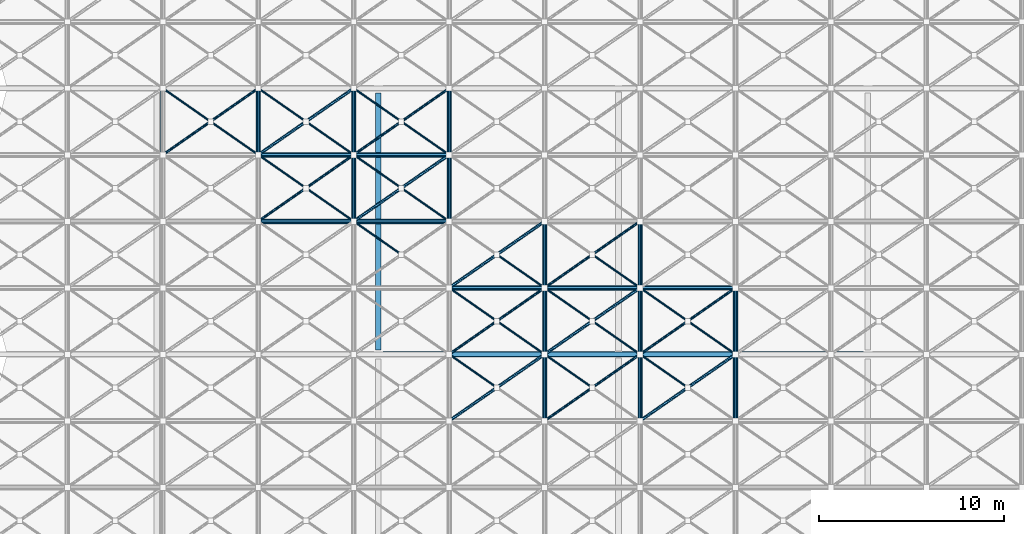
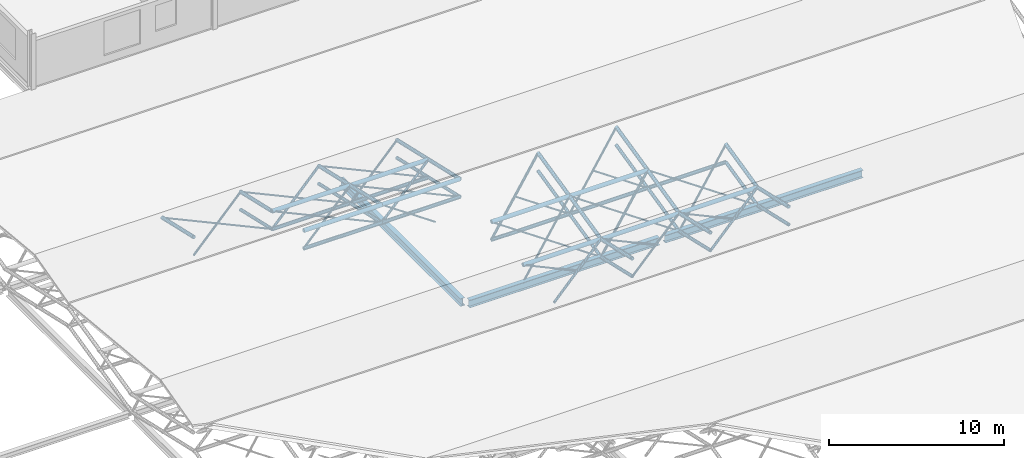
# One storey, part 41 of 110: 78 members, 3 beams.
"""IFC4 building model written with IfcOpenShell, lengths in metres."""

from ifc_helpers import new_model, si_unit, direction, frame, origin, origin_2d, place, context, subcontext, project, spatial, hollow_circle, i_section, extrude, material, material_profile, profile_set, type_object, element, save


model = new_model("IFC4")

# Units and contexts
model_context = context("Model", 3, precision=1e-05, world=origin(), true_north=direction((0.0, 1.0)))
body_context = subcontext(model_context, "Body", "Model", "MODEL_VIEW")
ifc_project = project(units=[si_unit("LENGTHUNIT", "METRE"), si_unit("AREAUNIT", "SQUARE_METRE"), si_unit("VOLUMEUNIT", "CUBIC_METRE"), si_unit("PLANEANGLEUNIT", "RADIAN"), si_unit("MASSUNIT", "GRAM", prefix="KILO")], contexts=[model_context])

# Site, building, storey
site_placement = place(None, origin())
site = spatial("IfcSite", under=ifc_project, at=site_placement, CompositionType="ELEMENT")
building_placement = place(site_placement, origin())
building = spatial("IfcBuilding", under=site, at=building_placement, Name="Tamarisk Ironworks Central Station", CompositionType="ELEMENT")
storey_placement = place(building_placement, frame((0.0, 0.0, 17.39990234375)))
storey = spatial("IfcBuildingStorey", under=building, at=storey_placement, Name="L03", CompositionType="ELEMENT", Elevation=17.39990234375)

# Beams
ifc_material_1 = material(Name="Structural steel S355J2", Category="steel")
ifc_material_profile_1 = material_profile(ifc_material_1, i_section(OverallWidth=0.300048828125, OverallDepth=0.5400390625, WebThickness=0.012451171875, FlangeThickness=0.02392578125, at=origin_2d()), Name="HEA 550")
ifc_profile_set_1 = profile_set([ifc_material_profile_1], Name="Structural steel S355J2")
beam_type = type_object("IfcBeamType", Name="BM-G04", PredefinedType="BEAM", material=ifc_profile_set_1)
beam_1_placement = place(storey_placement, frame((140.241943359375, 50.39990234375, -1.869873046875), z_axis=(1.0, 0.0, 0.0), x_axis=(0.0, 1.0, 0.0)))
element("IfcBeam", 1, at=beam_1_placement, inside=storey, type_object=beam_type, Name="L03 primary girder X-0564", PredefinedType="BEAM", context=body_context, shape_type="SweptSolid", body=[
    extrude(i_section(OverallWidth=0.300048828125, OverallDepth=0.5400390625, WebThickness=0.012451171875, FlangeThickness=0.02392578125, at=origin_2d()), origin(), (0.0, 0.0, 1.0), 12.56689453125),
])
beam_2_placement = place(storey_placement, frame((153.191162109375, 50.39990234375, -1.869873046875), z_axis=(1.0, 0.0, 0.0), x_axis=(0.0, 1.0, 0.0)))
element("IfcBeam", 2, at=beam_2_placement, inside=storey, type_object=beam_type, Name="L03 primary girder X-0565", PredefinedType="BEAM", context=body_context, shape_type="SweptSolid", body=[
    extrude(i_section(OverallWidth=0.300048828125, OverallDepth=0.5400390625, WebThickness=0.012451171875, FlangeThickness=0.02392578125, at=origin_2d()), origin(), (0.0, 0.0, 1.0), 13.06689453125),
])
beam_3_placement = place(storey_placement, frame((140.0, 50.64208984375, -1.869873046875), z_axis=(0.0, 1.0, 0.0), x_axis=(-1.0, 0.0, 0.0)))
element("IfcBeam", 3, at=beam_3_placement, inside=storey, type_object=beam_type, Name="L03 primary girder Y-0615", PredefinedType="BEAM", context=body_context, shape_type="SweptSolid", body=[
    extrude(i_section(OverallWidth=0.300048828125, OverallDepth=0.5400390625, WebThickness=0.012451171875, FlangeThickness=0.02392578125, at=origin_2d()), origin(), (0.0, 0.0, 1.0), 13.916015625),
])

# Members
ifc_material_2 = material(Name="Structural steel S355J2H", Category="steel")
ifc_material_profile_2 = material_profile(ifc_material_2, hollow_circle(Radius=0.136474609375, WallThickness=0.012451171875, at=origin_2d()), Name="CHS 273x12.5")
ifc_profile_set_2 = profile_set([ifc_material_profile_2], Name="Structural steel S355J2H")
member_type_1 = type_object("IfcMemberType", Name="MB-SFC01", PredefinedType="CHORD", material=ifc_profile_set_2)
for number, where, z_axis, x_axis, name in (
    (4, (143.833251953125, 50.39990234375, -0.469970703125), (1.0, 0.0, 0.0), (0.0, 1.0, 0.0), "Train shed space-frame top chord 1388"),
    (5, (149.0, 50.39990234375, -0.469970703125), (1.0, 0.0, 0.0), (0.0, 1.0, 0.0), "Train shed space-frame top chord 1389"),
):
    element("IfcMember", number, at=place(storey_placement, frame(where, z_axis=z_axis, x_axis=x_axis)), inside=storey, type_object=member_type_1, Name=name, PredefinedType="CHORD", context=body_context, shape_type="SweptSolid", body=[
        extrude(hollow_circle(Radius=0.136474609375, WallThickness=0.012451171875, at=origin_2d()), origin(), (0.0, 0.0, 1.0), 5.166748046875),
    ])
member_1_placement = place(storey_placement, frame((154.166748046875, 50.39990234375, -0.469970703125), z_axis=(1.0, 0.0, 0.0), x_axis=(0.0, 1.0, 0.0)))
element("IfcMember", 6, at=member_1_placement, inside=storey, type_object=member_type_1, Name="Train shed space-frame top chord 1390", PredefinedType="CHORD", context=body_context, shape_type="SweptSolid", body=[
    extrude(hollow_circle(Radius=0.136474609375, WallThickness=0.012451171875, at=origin_2d()), origin(), (0.0, 0.0, 1.0), 5.16650390625),
])
for number, where, z_axis, x_axis, name in (
    (7, (143.833251953125, 54.0, 0.35498046875), (1.0, 0.0, 0.0), (0.0, 1.0, 0.0), "Train shed space-frame top chord 1636"),
    (8, (149.0, 54.0, 0.35498046875), (1.0, 0.0, 0.0), (0.0, 1.0, 0.0), "Train shed space-frame top chord 1637"),
    (9, (133.5, 57.60009765625, 1.18017578125), (1.0, 0.0, 0.0), (0.0, 1.0, 0.0), "Train shed space-frame top chord 1646"),
):
    element("IfcMember", number, at=place(storey_placement, frame(where, z_axis=z_axis, x_axis=x_axis)), inside=storey, type_object=member_type_1, Name=name, PredefinedType="CHORD", context=body_context, shape_type="SweptSolid", body=[
        extrude(hollow_circle(Radius=0.136474609375, WallThickness=0.012451171875, at=origin_2d()), origin(), (0.0, 0.0, 1.0), 5.166748046875),
    ])
member_2_placement = place(storey_placement, frame((138.666748046875, 57.60009765625, 1.18017578125), z_axis=(1.0, 0.0, 0.0), x_axis=(0.0, 1.0, 0.0)))
element("IfcMember", 10, at=member_2_placement, inside=storey, type_object=member_type_1, Name="Train shed space-frame top chord 1647", PredefinedType="CHORD", context=body_context, shape_type="SweptSolid", body=[
    extrude(hollow_circle(Radius=0.136474609375, WallThickness=0.012451171875, at=origin_2d()), origin(), (0.0, 0.0, 1.0), 5.16650390625),
])
member_3_placement = place(storey_placement, frame((133.5, 61.199951171875, 0.35498046875), z_axis=(1.0, 0.0, 0.0), x_axis=(0.0, 1.0, 0.0)))
element("IfcMember", 11, at=member_3_placement, inside=storey, type_object=member_type_1, Name="Train shed space-frame top chord 1658", PredefinedType="CHORD", context=body_context, shape_type="SweptSolid", body=[
    extrude(hollow_circle(Radius=0.136474609375, WallThickness=0.012451171875, at=origin_2d()), origin(), (0.0, 0.0, 1.0), 5.166748046875),
])
member_4_placement = place(storey_placement, frame((138.666748046875, 61.199951171875, 0.35498046875), z_axis=(1.0, 0.0, 0.0), x_axis=(0.0, 1.0, 0.0)))
element("IfcMember", 12, at=member_4_placement, inside=storey, type_object=member_type_1, Name="Train shed space-frame top chord 1659", PredefinedType="CHORD", context=body_context, shape_type="SweptSolid", body=[
    extrude(hollow_circle(Radius=0.136474609375, WallThickness=0.012451171875, at=origin_2d()), origin(), (0.0, 0.0, 1.0), 5.16650390625),
])
ifc_material_profile_3 = material_profile(ifc_material_2, hollow_circle(Radius=0.122314453125, WallThickness=0.012451171875, at=origin_2d()), Name="CHS 244.5x12.5")
ifc_profile_set_3 = profile_set([ifc_material_profile_3], Name="Structural steel S355J2H")
member_type_2 = type_object("IfcMemberType", Name="MB-SFC02", PredefinedType="CHORD", material=ifc_profile_set_3)
for number, where, z_axis, x_axis, name in (
    (13, (149.0, 46.800048828125, 0.35498046875), (0.0, 0.974733218107, -0.223372230857), (-1.0, 0.0, 0.0), "Train shed space-frame top transverse chord 1422"),
    (14, (154.166748046875, 46.800048828125, 0.35498046875), (0.0, 0.974733218107, -0.223372230857), (-1.0, 0.0, 0.0), "Train shed space-frame top transverse chord 1426"),
    (15, (159.333251953125, 46.800048828125, 0.35498046875), (0.0, 0.974733218107, -0.223372230857), (-1.0, 0.0, 0.0), "Train shed space-frame top transverse chord 1430"),
):
    element("IfcMember", number, at=place(storey_placement, frame(where, z_axis=z_axis, x_axis=x_axis)), inside=storey, type_object=member_type_2, Name=name, PredefinedType="CHORD", context=body_context, shape_type="SweptSolid", body=[
        extrude(hollow_circle(Radius=0.122314453125, WallThickness=0.012451171875, at=origin_2d()), origin(), (0.0, 0.0, 1.0), 3.693115234375),
    ])
for number, where, z_axis, x_axis, name in (
    (16, (143.833251953125, 54.0, -0.89501953125), (1.0, 0.0, 0.0), (0.0, 1.0, 0.0), "Train shed space-frame bottom chord 1548"),
    (17, (149.0, 54.0, -0.89501953125), (1.0, 0.0, 0.0), (0.0, 1.0, 0.0), "Train shed space-frame bottom chord 1549"),
):
    element("IfcMember", number, at=place(storey_placement, frame(where, z_axis=z_axis, x_axis=x_axis)), inside=storey, type_object=member_type_2, Name=name, PredefinedType="CHORD", context=body_context, shape_type="SweptSolid", body=[
        extrude(hollow_circle(Radius=0.122314453125, WallThickness=0.012451171875, at=origin_2d()), origin(), (0.0, 0.0, 1.0), 5.166748046875),
    ])
member_5_placement = place(storey_placement, frame((154.166748046875, 54.0, -0.89501953125), z_axis=(1.0, 0.0, 0.0), x_axis=(0.0, 1.0, 0.0)))
element("IfcMember", 18, at=member_5_placement, inside=storey, type_object=member_type_2, Name="Train shed space-frame bottom chord 1550", PredefinedType="CHORD", context=body_context, shape_type="SweptSolid", body=[
    extrude(hollow_circle(Radius=0.122314453125, WallThickness=0.012451171875, at=origin_2d()), origin(), (0.0, 0.0, 1.0), 5.16650390625),
])
member_6_placement = place(storey_placement, frame((133.5, 57.60009765625, -0.06982421875), z_axis=(1.0, 0.0, 0.0), x_axis=(0.0, 1.0, 0.0)))
element("IfcMember", 19, at=member_6_placement, inside=storey, type_object=member_type_2, Name="Train shed space-frame bottom chord 1558", PredefinedType="CHORD", context=body_context, shape_type="SweptSolid", body=[
    extrude(hollow_circle(Radius=0.122314453125, WallThickness=0.012451171875, at=origin_2d()), origin(), (0.0, 0.0, 1.0), 5.166748046875),
])
member_7_placement = place(storey_placement, frame((138.666748046875, 57.60009765625, -0.06982421875), z_axis=(1.0, 0.0, 0.0), x_axis=(0.0, 1.0, 0.0)))
element("IfcMember", 20, at=member_7_placement, inside=storey, type_object=member_type_2, Name="Train shed space-frame bottom chord 1559", PredefinedType="CHORD", context=body_context, shape_type="SweptSolid", body=[
    extrude(hollow_circle(Radius=0.122314453125, WallThickness=0.012451171875, at=origin_2d()), origin(), (0.0, 0.0, 1.0), 5.16650390625),
])
member_8_placement = place(storey_placement, frame((133.5, 61.199951171875, -0.89501953125), z_axis=(1.0, 0.0, 0.0), x_axis=(0.0, 1.0, 0.0)))
element("IfcMember", 21, at=member_8_placement, inside=storey, type_object=member_type_2, Name="Train shed space-frame bottom chord 1570", PredefinedType="CHORD", context=body_context, shape_type="SweptSolid", body=[
    extrude(hollow_circle(Radius=0.122314453125, WallThickness=0.012451171875, at=origin_2d()), origin(), (0.0, 0.0, 1.0), 5.166748046875),
])
member_9_placement = place(storey_placement, frame((138.666748046875, 61.199951171875, -0.89501953125), z_axis=(1.0, 0.0, 0.0), x_axis=(0.0, 1.0, 0.0)))
element("IfcMember", 22, at=member_9_placement, inside=storey, type_object=member_type_2, Name="Train shed space-frame bottom chord 1571", PredefinedType="CHORD", context=body_context, shape_type="SweptSolid", body=[
    extrude(hollow_circle(Radius=0.122314453125, WallThickness=0.012451171875, at=origin_2d()), origin(), (0.0, 0.0, 1.0), 5.16650390625),
])
for number, where, z_axis, x_axis, name in (
    (23, (128.333251953125, 61.199951171875, 0.35498046875), (0.0, 0.974736516158, -0.223357838607), (-1.0, 0.0, 0.0), "Train shed space-frame top transverse chord 1690"),
    (24, (133.5, 61.199951171875, 0.35498046875), (0.0, 0.974736516158, -0.223357838607), (-1.0, 0.0, 0.0), "Train shed space-frame top transverse chord 1694"),
):
    element("IfcMember", number, at=place(storey_placement, frame(where, z_axis=z_axis, x_axis=x_axis)), inside=storey, type_object=member_type_2, Name=name, PredefinedType="CHORD", context=body_context, shape_type="SweptSolid", body=[
        extrude(hollow_circle(Radius=0.122314453125, WallThickness=0.012451171875, at=origin_2d()), origin(), (0.0, 0.0, 1.0), 3.693359375),
    ])
member_10_placement = place(storey_placement, frame((138.666748046875, 57.60009765625, 1.18017578125), z_axis=(0.0, 0.974718823144, -0.223435037113), x_axis=(-1.0, 0.0, 0.0)))
element("IfcMember", 25, at=member_10_placement, inside=storey, type_object=member_type_2, Name="Train shed space-frame top transverse chord 1697", PredefinedType="CHORD", context=body_context, shape_type="SweptSolid", body=[
    extrude(hollow_circle(Radius=0.122314453125, WallThickness=0.012451171875, at=origin_2d()), origin(), (0.0, 0.0, 1.0), 3.693115234375),
])
member_11_placement = place(storey_placement, frame((138.666748046875, 61.199951171875, 0.35498046875), z_axis=(0.0, 0.974736516158, -0.223357838607), x_axis=(-1.0, 0.0, 0.0)))
element("IfcMember", 26, at=member_11_placement, inside=storey, type_object=member_type_2, Name="Train shed space-frame top transverse chord 1698", PredefinedType="CHORD", context=body_context, shape_type="SweptSolid", body=[
    extrude(hollow_circle(Radius=0.122314453125, WallThickness=0.012451171875, at=origin_2d()), origin(), (0.0, 0.0, 1.0), 3.693359375),
])
member_12_placement = place(storey_placement, frame((143.833251953125, 57.60009765625, 1.18017578125), z_axis=(0.0, 0.974718823144, -0.223435037113), x_axis=(-1.0, 0.0, 0.0)))
element("IfcMember", 27, at=member_12_placement, inside=storey, type_object=member_type_2, Name="Train shed space-frame top transverse chord 1701", PredefinedType="CHORD", context=body_context, shape_type="SweptSolid", body=[
    extrude(hollow_circle(Radius=0.122314453125, WallThickness=0.012451171875, at=origin_2d()), origin(), (0.0, 0.0, 1.0), 3.693115234375),
])
for number, where, z_axis, x_axis, name in (
    (28, (143.833251953125, 61.199951171875, 0.35498046875), (0.0, 0.974736516158, -0.223357838607), (-1.0, 0.0, 0.0), "Train shed space-frame top transverse chord 1702"),
    (29, (149.0, 50.39990234375, -0.469970703125), (0.0, 0.974736516158, 0.223357838607), (-1.0, 0.0, 0.0), "Train shed space-frame top transverse chord 1703"),
    (30, (149.0, 54.0, 0.35498046875), (0.0, 0.974722123001, 0.223420641241), (-1.0, 0.0, 0.0), "Train shed space-frame top transverse chord 1704"),
    (31, (154.166748046875, 50.39990234375, -0.469970703125), (0.0, 0.974736516158, 0.223357838607), (-1.0, 0.0, 0.0), "Train shed space-frame top transverse chord 1707"),
    (32, (154.166748046875, 54.0, 0.35498046875), (0.0, 0.974722123001, 0.223420641241), (-1.0, 0.0, 0.0), "Train shed space-frame top transverse chord 1708"),
    (33, (159.333251953125, 50.39990234375, -0.469970703125), (0.0, 0.974736516158, 0.223357838607), (-1.0, 0.0, 0.0), "Train shed space-frame top transverse chord 1711"),
):
    element("IfcMember", number, at=place(storey_placement, frame(where, z_axis=z_axis, x_axis=x_axis)), inside=storey, type_object=member_type_2, Name=name, PredefinedType="CHORD", context=body_context, shape_type="SweptSolid", body=[
        extrude(hollow_circle(Radius=0.122314453125, WallThickness=0.012451171875, at=origin_2d()), origin(), (0.0, 0.0, 1.0), 3.693359375),
    ])
ifc_material_profile_4 = material_profile(ifc_material_2, hollow_circle(Radius=0.109619140625, WallThickness=0.010009765625, at=origin_2d()), Name="CHS 219.1x10")
ifc_profile_set_4 = profile_set([ifc_material_profile_4], Name="Structural steel S355J2H")
member_type_3 = type_object("IfcMemberType", Name="MB-SFC03", PredefinedType="CHORD", material=ifc_profile_set_4)
for number, where, z_axis, x_axis, name in (
    (34, (149.0, 46.800048828125, -0.89501953125), (0.0, 0.974733218107, -0.223372230857), (-1.0, 0.0, 0.0), "Train shed space-frame transverse chord 1322"),
    (35, (154.166748046875, 46.800048828125, -0.89501953125), (0.0, 0.974733218107, -0.223372230857), (-1.0, 0.0, 0.0), "Train shed space-frame transverse chord 1326"),
    (36, (159.333251953125, 46.800048828125, -0.89501953125), (0.0, 0.974733218107, -0.223372230857), (-1.0, 0.0, 0.0), "Train shed space-frame transverse chord 1330"),
):
    element("IfcMember", number, at=place(storey_placement, frame(where, z_axis=z_axis, x_axis=x_axis)), inside=storey, type_object=member_type_3, Name=name, PredefinedType="CHORD", context=body_context, shape_type="SweptSolid", body=[
        extrude(hollow_circle(Radius=0.109619140625, WallThickness=0.010009765625, at=origin_2d()), origin(), (0.0, 0.0, 1.0), 3.693115234375),
    ])
member_13_placement = place(storey_placement, frame((133.5, 61.199951171875, -0.89501953125), z_axis=(0.0, 0.974736516158, -0.223357838607), x_axis=(-1.0, 0.0, 0.0)))
element("IfcMember", 37, at=member_13_placement, inside=storey, type_object=member_type_3, Name="Train shed space-frame transverse chord 1594", PredefinedType="CHORD", context=body_context, shape_type="SweptSolid", body=[
    extrude(hollow_circle(Radius=0.109619140625, WallThickness=0.010009765625, at=origin_2d()), origin(), (0.0, 0.0, 1.0), 3.693359375),
])
member_14_placement = place(storey_placement, frame((138.666748046875, 57.60009765625, -0.06982421875), z_axis=(0.0, 0.974718823144, -0.223435037113), x_axis=(-1.0, 0.0, 0.0)))
element("IfcMember", 38, at=member_14_placement, inside=storey, type_object=member_type_3, Name="Train shed space-frame transverse chord 1597", PredefinedType="CHORD", context=body_context, shape_type="SweptSolid", body=[
    extrude(hollow_circle(Radius=0.109619140625, WallThickness=0.010009765625, at=origin_2d()), origin(), (0.0, 0.0, 1.0), 3.693115234375),
])
member_15_placement = place(storey_placement, frame((138.666748046875, 61.199951171875, -0.89501953125), z_axis=(0.0, 0.974736516158, -0.223357838607), x_axis=(-1.0, 0.0, 0.0)))
element("IfcMember", 39, at=member_15_placement, inside=storey, type_object=member_type_3, Name="Train shed space-frame transverse chord 1598", PredefinedType="CHORD", context=body_context, shape_type="SweptSolid", body=[
    extrude(hollow_circle(Radius=0.109619140625, WallThickness=0.010009765625, at=origin_2d()), origin(), (0.0, 0.0, 1.0), 3.693359375),
])
member_16_placement = place(storey_placement, frame((143.833251953125, 57.60009765625, -0.06982421875), z_axis=(0.0, 0.974718823144, -0.223435037113), x_axis=(-1.0, 0.0, 0.0)))
element("IfcMember", 40, at=member_16_placement, inside=storey, type_object=member_type_3, Name="Train shed space-frame transverse chord 1601", PredefinedType="CHORD", context=body_context, shape_type="SweptSolid", body=[
    extrude(hollow_circle(Radius=0.109619140625, WallThickness=0.010009765625, at=origin_2d()), origin(), (0.0, 0.0, 1.0), 3.693115234375),
])
for number, where, z_axis, x_axis, name in (
    (41, (143.833251953125, 61.199951171875, -0.89501953125), (0.0, 0.974736516158, -0.223357838607), (-1.0, 0.0, 0.0), "Train shed space-frame transverse chord 1602"),
    (42, (149.0, 50.39990234375, -1.719970703125), (0.0, 0.974736516158, 0.223357838607), (-1.0, 0.0, 0.0), "Train shed space-frame transverse chord 1603"),
    (43, (149.0, 54.0, -0.89501953125), (0.0, 0.974722123001, 0.223420641241), (-1.0, 0.0, 0.0), "Train shed space-frame transverse chord 1604"),
    (44, (154.166748046875, 50.39990234375, -1.719970703125), (0.0, 0.974736516158, 0.223357838607), (-1.0, 0.0, 0.0), "Train shed space-frame transverse chord 1607"),
    (45, (154.166748046875, 54.0, -0.89501953125), (0.0, 0.974722123001, 0.223420641241), (-1.0, 0.0, 0.0), "Train shed space-frame transverse chord 1608"),
    (46, (159.333251953125, 50.39990234375, -1.719970703125), (0.0, 0.974736516158, 0.223357838607), (-1.0, 0.0, 0.0), "Train shed space-frame transverse chord 1611"),
):
    element("IfcMember", number, at=place(storey_placement, frame(where, z_axis=z_axis, x_axis=x_axis)), inside=storey, type_object=member_type_3, Name=name, PredefinedType="CHORD", context=body_context, shape_type="SweptSolid", body=[
        extrude(hollow_circle(Radius=0.109619140625, WallThickness=0.010009765625, at=origin_2d()), origin(), (0.0, 0.0, 1.0), 3.693359375),
    ])
ifc_material_profile_5 = material_profile(ifc_material_2, hollow_circle(Radius=0.084228515625, WallThickness=0.010009765625, at=origin_2d()), Name="CHS 168.3x10")
ifc_profile_set_5 = profile_set([ifc_material_profile_5], Name="Structural steel S355J2H")
member_type_4 = type_object("IfcMemberType", Name="MB-SFD01", PredefinedType="BRACE", material=ifc_profile_set_5)
member_17_placement = place(storey_placement, frame((143.833251953125, 46.800048828125, -0.89501953125), z_axis=(0.818625810636, 0.570365145671, 0.067345250499), x_axis=(-0.57166297408, 0.820488539875, 0.0)))
element("IfcMember", 47, at=member_17_placement, inside=storey, type_object=member_type_4, Name="Train shed space-frame diagonal 1493", PredefinedType="BRACE", context=body_context, shape_type="SweptSolid", body=[
    extrude(hollow_circle(Radius=0.084228515625, WallThickness=0.010009765625, at=origin_2d()), origin(), (0.0, 0.0, 1.0), 6.3115234375),
])
member_18_placement = place(storey_placement, frame((154.166748046875, 46.800048828125, -0.89501953125), z_axis=(0.818613050724, 0.570383207302, 0.067347383107), x_axis=(-0.571681159291, 0.820475869305, 0.0)))
element("IfcMember", 48, at=member_18_placement, inside=storey, type_object=member_type_4, Name="Train shed space-frame diagonal 1509", PredefinedType="BRACE", context=body_context, shape_type="SweptSolid", body=[
    extrude(hollow_circle(Radius=0.084228515625, WallThickness=0.010009765625, at=origin_2d()), origin(), (0.0, 0.0, 1.0), 6.311279296875),
])
member_19_placement = place(storey_placement, frame((133.5, 61.199951171875, -0.89501953125), z_axis=(0.818607749421, 0.570391242875, 0.067343764671), x_axis=(-0.571689073201, 0.82047035509, 0.0)))
element("IfcMember", 49, at=member_19_placement, inside=storey, type_object=member_type_4, Name="Train shed space-frame diagonal 1761", PredefinedType="BRACE", context=body_context, shape_type="SweptSolid", body=[
    extrude(hollow_circle(Radius=0.084228515625, WallThickness=0.010009765625, at=origin_2d()), origin(), (0.0, 0.0, 1.0), 6.3115234375),
])
member_20_placement = place(storey_placement, frame((138.666748046875, 57.60009765625, -0.06982421875), z_axis=(0.818615182779, 0.570384692849, 0.06730887525), x_axis=(-0.571681159291, 0.820475869305, 0.0)))
element("IfcMember", 50, at=member_20_placement, inside=storey, type_object=member_type_4, Name="Train shed space-frame diagonal 1767", PredefinedType="BRACE", context=body_context, shape_type="SweptSolid", body=[
    extrude(hollow_circle(Radius=0.084228515625, WallThickness=0.010009765625, at=origin_2d()), origin(), (0.0, 0.0, 1.0), 6.311279296875),
])
for number, where, z_axis, x_axis, name in (
    (51, (143.833251953125, 54.0, -0.89501953125), (0.779249385031, 0.542967038306, 0.312981135603), (-0.571689073201, 0.82047035509, 0.0), "Train shed space-frame diagonal 1773"),
    (52, (149.0, 50.39990234375, -1.719970703125), (0.77925836502, 0.542973295402, 0.312947920631), (-0.571689073201, 0.82047035509, 0.0), "Train shed space-frame diagonal 1779"),
):
    element("IfcMember", number, at=place(storey_placement, frame(where, z_axis=z_axis, x_axis=x_axis)), inside=storey, type_object=member_type_4, Name=name, PredefinedType="BRACE", context=body_context, shape_type="SweptSolid", body=[
        extrude(hollow_circle(Radius=0.084228515625, WallThickness=0.010009765625, at=origin_2d()), origin(), (0.0, 0.0, 1.0), 6.63037109375),
    ])
ifc_material_profile_6 = material_profile(ifc_material_2, hollow_circle(Radius=0.06982421875, WallThickness=0.008056640625, at=origin_2d()), Name="CHS 139.7x8")
ifc_profile_set_6 = profile_set([ifc_material_profile_6], Name="Structural steel S355J2H")
member_type_5 = type_object("IfcMemberType", Name="MB-SFD02", PredefinedType="BRACE", material=ifc_profile_set_6)
for number, where, z_axis, x_axis, name in (
    (53, (149.0, 46.800048828125, -0.89501953125), (0.818625810636, 0.570365145671, 0.067345250499), (-0.57166297408, 0.820488539875, 0.0), "Train shed space-frame diagonal 1501"),
    (54, (128.333251953125, 61.199951171875, -0.89501953125), (0.818607749421, 0.570391242875, 0.067343764671), (-0.571689073201, 0.82047035509, 0.0), "Train shed space-frame diagonal 1753"),
    (55, (133.5, 57.60009765625, -0.06982421875), (0.818627942589, 0.570366631076, 0.06730674385), (-0.57166297408, 0.820488539875, 0.0), "Train shed space-frame diagonal 1759"),
    (56, (138.666748046875, 61.199951171875, -0.89501953125), (0.818594988647, 0.570409304536, 0.067345897138), (-0.571707258436, 0.820457683645, 0.0), "Train shed space-frame diagonal 1769"),
):
    element("IfcMember", number, at=place(storey_placement, frame(where, z_axis=z_axis, x_axis=x_axis)), inside=storey, type_object=member_type_5, Name=name, PredefinedType="BRACE", context=body_context, shape_type="SweptSolid", body=[
        extrude(hollow_circle(Radius=0.06982421875, WallThickness=0.008056640625, at=origin_2d()), origin(), (0.0, 0.0, 1.0), 6.3115234375),
    ])
for number, where, z_axis, x_axis, name in (
    (57, (143.833251953125, 50.39990234375, -1.719970703125), (0.77925836502, 0.542973295402, 0.312947920631), (-0.571689073201, 0.82047035509, 0.0), "Train shed space-frame diagonal 1771"),
    (58, (149.0, 54.0, -0.89501953125), (0.779249385031, 0.542967038306, 0.312981135603), (-0.571689073201, 0.82047035509, 0.0), "Train shed space-frame diagonal 1781"),
):
    element("IfcMember", number, at=place(storey_placement, frame(where, z_axis=z_axis, x_axis=x_axis)), inside=storey, type_object=member_type_5, Name=name, PredefinedType="BRACE", context=body_context, shape_type="SweptSolid", body=[
        extrude(hollow_circle(Radius=0.06982421875, WallThickness=0.008056640625, at=origin_2d()), origin(), (0.0, 0.0, 1.0), 6.63037109375),
    ])
member_21_placement = place(storey_placement, frame((154.166748046875, 50.39990234375, -1.719970703125), z_axis=(0.779243902426, 0.542988875587, 0.312956900421), x_axis=(-0.571707258436, 0.820457683645, 0.0)))
element("IfcMember", 59, at=member_21_placement, inside=storey, type_object=member_type_5, Name="Train shed space-frame diagonal 1787", PredefinedType="BRACE", context=body_context, shape_type="SweptSolid", body=[
    extrude(hollow_circle(Radius=0.06982421875, WallThickness=0.008056640625, at=origin_2d()), origin(), (0.0, 0.0, 1.0), 6.630126953125),
])
ifc_material_profile_7 = material_profile(ifc_material_2, hollow_circle(Radius=0.05712890625, WallThickness=0.00634765625, at=origin_2d()), Name="CHS 114.3x6.3")
ifc_profile_set_7 = profile_set([ifc_material_profile_7], Name="Structural steel S355J2H")
member_type_6 = type_object("IfcMemberType", Name="MB-SFD03", PredefinedType="BRACE", material=ifc_profile_set_7)
for number, where, z_axis, x_axis, name in (
    (60, (146.37158203125, 48.63134765625, -0.6787109375), (-0.81862545828, 0.570368646704, 0.067319877544), (-0.571665501983, -0.820486778591, 0.0), "Train shed space-frame split counter-diagonal upper 1494"),
    (61, (151.538330078125, 48.63134765625, -0.6787109375), (-0.81862545828, 0.570368646704, 0.067319877544), (-0.571665501983, -0.820486778591, 0.0), "Train shed space-frame split counter-diagonal upper 1502"),
    (62, (156.705078125, 48.63134765625, -0.6787109375), (-0.81862545828, 0.570368646704, 0.067319877544), (-0.571665501983, -0.820486778591, 0.0), "Train shed space-frame split counter-diagonal upper 1510"),
    (63, (133.5, 61.199951171875, -0.89501953125), (-0.818621116616, 0.570365621695, 0.067398256788), (-0.571665501983, -0.820486778591, 0.0), "Train shed space-frame split counter-diagonal lower 1754"),
    (64, (130.87158203125, 63.031494140625, -0.6787109375), (-0.81862545828, 0.570368646704, 0.067319877544), (-0.571665501983, -0.820486778591, 0.0), "Train shed space-frame split counter-diagonal upper 1754"),
    (65, (138.666748046875, 57.60009765625, -0.06982421875), (-0.81862545828, 0.570368646704, 0.067319877544), (-0.571665501983, -0.820486778591, 0.0), "Train shed space-frame split counter-diagonal lower 1760"),
    (66, (136.038330078125, 59.431396484375, 0.146240234375), (-0.81862545828, 0.570368646704, 0.067319877544), (-0.571665501983, -0.820486778591, 0.0), "Train shed space-frame split counter-diagonal upper 1760"),
    (67, (138.666748046875, 61.199951171875, -0.89501953125), (-0.818621116616, 0.570365621695, 0.067398256788), (-0.571665501983, -0.820486778591, 0.0), "Train shed space-frame split counter-diagonal lower 1762"),
    (68, (136.038330078125, 63.031494140625, -0.6787109375), (-0.81862545828, 0.570368646704, 0.067319877544), (-0.571665501983, -0.820486778591, 0.0), "Train shed space-frame split counter-diagonal upper 1762"),
):
    element("IfcMember", number, at=place(storey_placement, frame(where, z_axis=z_axis, x_axis=x_axis)), inside=storey, type_object=member_type_6, Name=name, PredefinedType="BRACE", context=body_context, shape_type="SweptSolid", body=[
        extrude(hollow_circle(Radius=0.05712890625, WallThickness=0.00634765625, at=origin_2d()), origin(), (0.0, 0.0, 1.0), 3.100830078125),
    ])
member_22_placement = place(storey_placement, frame((141.20703125, 55.829833984375, 0.159912109375), z_axis=(-0.779220271205, 0.543020296637, 0.312961221852), x_axis=(-0.571741198525, -0.820434032637, 0.0)))
element("IfcMember", 69, at=member_22_placement, inside=storey, type_object=member_type_6, Name="Train shed space-frame split counter-diagonal upper 1766", PredefinedType="BRACE", context=body_context, shape_type="SweptSolid", body=[
    extrude(hollow_circle(Radius=0.05712890625, WallThickness=0.00634765625, at=origin_2d()), origin(), (0.0, 0.0, 1.0), 3.260009765625),
])
for number, where, z_axis, x_axis, name in (
    (70, (143.833251953125, 57.60009765625, -0.06982421875), (-0.81862545828, 0.570368646704, 0.067319877544), (-0.571665501983, -0.820486778591, 0.0), "Train shed space-frame split counter-diagonal lower 1768"),
    (71, (141.205078125, 59.431396484375, 0.146240234375), (-0.81862545828, 0.570368646704, 0.067319877544), (-0.571665501983, -0.820486778591, 0.0), "Train shed space-frame split counter-diagonal upper 1768"),
    (72, (143.833251953125, 61.199951171875, -0.89501953125), (-0.818621116616, 0.570365621695, 0.067398256788), (-0.571665501983, -0.820486778591, 0.0), "Train shed space-frame split counter-diagonal lower 1770"),
    (73, (141.205078125, 63.031494140625, -0.6787109375), (-0.81862545828, 0.570368646704, 0.067319877544), (-0.571665501983, -0.820486778591, 0.0), "Train shed space-frame split counter-diagonal upper 1770"),
):
    element("IfcMember", number, at=place(storey_placement, frame(where, z_axis=z_axis, x_axis=x_axis)), inside=storey, type_object=member_type_6, Name=name, PredefinedType="BRACE", context=body_context, shape_type="SweptSolid", body=[
        extrude(hollow_circle(Radius=0.05712890625, WallThickness=0.00634765625, at=origin_2d()), origin(), (0.0, 0.0, 1.0), 3.100830078125),
    ])
for number, where, z_axis, x_axis, name in (
    (74, (149.0, 50.39990234375, -1.719970703125), (-0.779220271205, 0.543020296637, 0.312961221852), (-0.571741198525, -0.820434032637, 0.0), "Train shed space-frame split counter-diagonal lower 1772"),
    (75, (146.373779296875, 52.22998046875, -0.665283203125), (-0.779281371438, 0.542935800781, 0.31295568434), (-0.571651135352, -0.820496788203, 0.0), "Train shed space-frame split counter-diagonal upper 1772"),
    (76, (149.0, 54.0, -0.89501953125), (-0.779233692289, 0.542954759164, 0.313041502525), (-0.571688120068, -0.820471019216, 0.0), "Train shed space-frame split counter-diagonal lower 1774"),
):
    element("IfcMember", number, at=place(storey_placement, frame(where, z_axis=z_axis, x_axis=x_axis)), inside=storey, type_object=member_type_6, Name=name, PredefinedType="BRACE", context=body_context, shape_type="SweptSolid", body=[
        extrude(hollow_circle(Radius=0.05712890625, WallThickness=0.00634765625, at=origin_2d()), origin(), (0.0, 0.0, 1.0), 3.260009765625),
    ])
member_23_placement = place(storey_placement, frame((154.166748046875, 50.39990234375, -1.719970703125), z_axis=(-0.779249686219, 0.542988609915, 0.312942959707), x_axis=(-0.571704213709, -0.820459805248, 0.0)))
element("IfcMember", 77, at=member_23_placement, inside=storey, type_object=member_type_6, Name="Train shed space-frame split counter-diagonal lower 1780", PredefinedType="BRACE", context=body_context, shape_type="SweptSolid", body=[
    extrude(hollow_circle(Radius=0.05712890625, WallThickness=0.00634765625, at=origin_2d()), origin(), (0.0, 0.0, 1.0), 3.26025390625),
])
member_24_placement = place(storey_placement, frame((151.540283203125, 52.22998046875, -0.665283203125), z_axis=(-0.779251958926, 0.542967486998, 0.312973948712), x_axis=(-0.571688120068, -0.820471019216, 0.0)))
element("IfcMember", 78, at=member_24_placement, inside=storey, type_object=member_type_6, Name="Train shed space-frame split counter-diagonal upper 1780", PredefinedType="BRACE", context=body_context, shape_type="SweptSolid", body=[
    extrude(hollow_circle(Radius=0.05712890625, WallThickness=0.00634765625, at=origin_2d()), origin(), (0.0, 0.0, 1.0), 3.260009765625),
])
member_25_placement = place(storey_placement, frame((154.166748046875, 54.0, -0.89501953125), z_axis=(-0.779263106243, 0.542923075174, 0.313023235066), x_axis=(-0.571651135352, -0.820496788203, 0.0)))
element("IfcMember", 79, at=member_25_placement, inside=storey, type_object=member_type_6, Name="Train shed space-frame split counter-diagonal lower 1782", PredefinedType="BRACE", context=body_context, shape_type="SweptSolid", body=[
    extrude(hollow_circle(Radius=0.05712890625, WallThickness=0.00634765625, at=origin_2d()), origin(), (0.0, 0.0, 1.0), 3.26025390625),
])
for number, where, z_axis, x_axis, name in (
    (80, (159.333251953125, 50.39990234375, -1.719970703125), (-0.779220271205, 0.543020296637, 0.312961221852), (-0.571741198525, -0.820434032637, 0.0), "Train shed space-frame split counter-diagonal lower 1788"),
    (81, (156.70703125, 52.22998046875, -0.665283203125), (-0.779251958926, 0.542967486998, 0.312973948712), (-0.571688120068, -0.820471019216, 0.0), "Train shed space-frame split counter-diagonal upper 1788"),
):
    element("IfcMember", number, at=place(storey_placement, frame(where, z_axis=z_axis, x_axis=x_axis)), inside=storey, type_object=member_type_6, Name=name, PredefinedType="BRACE", context=body_context, shape_type="SweptSolid", body=[
        extrude(hollow_circle(Radius=0.05712890625, WallThickness=0.00634765625, at=origin_2d()), origin(), (0.0, 0.0, 1.0), 3.260009765625),
    ])

save(model, "model.ifc")
